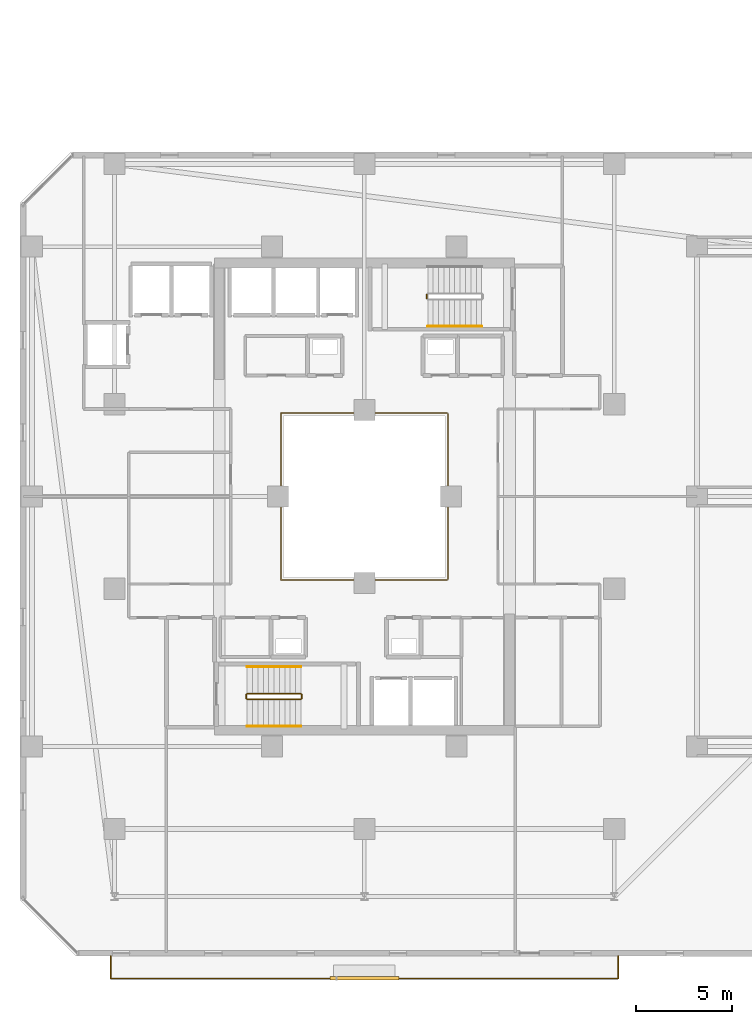
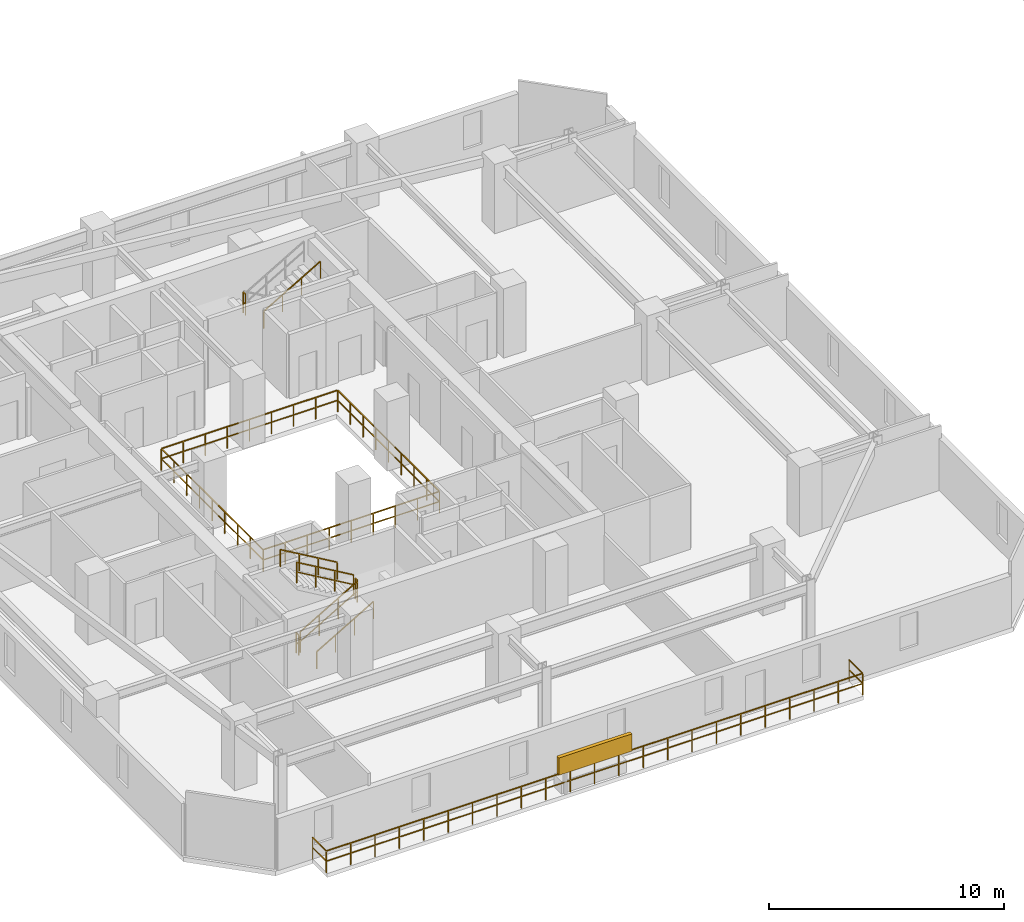
# One storey, part 30 of 33: 10 railings, 1 shading device.
"""IFC4 building model written with IfcOpenShell, lengths in metres."""

import ifcopenshell
import ifcopenshell.guid

model = None  # the IFC model being written
_history = None  # IfcOwnerHistory: only IFC2X3 demands one
_inside = {}  # id of a spatial element -> (the spatial element, [elements in it])
_under = {}  # id of a project, library or spatial element -> (it, [spatial elements below it])
_declared = {}  # id of a project -> (the project, [libraries it declares])
_typed = {}  # id of a type object -> (the type object, [elements of that type])
_made_of = {}  # id of a material, layer set ... -> (it, [elements and type objects made of it])


def new_model(schema):
    """Start an empty IFC model of exactly this schema.

    Asked for "IFC4X3", IfcOpenShell would pick the latest addendum, in which some entities
    have other attributes; the version numbers below select the first issue.
    IFC2X3 requires an IfcOwnerHistory on every rooted entity: one is made here for all.
    """
    global model, _history
    if schema == "IFC4X3":
        model = ifcopenshell.file(schema_version=(4, 3, 0, 0))
    else:
        model = ifcopenshell.file(schema=schema)
    _inside.clear()
    _under.clear()
    _declared.clear()
    _typed.clear()
    _made_of.clear()
    _history = None
    if model.schema == "IFC2X3":
        org = make("IfcOrganization", Name="unknown")
        user = make(
            "IfcPersonAndOrganization",
            ThePerson=make("IfcPerson", FamilyName="unknown"),
            TheOrganization=org,
        )
        app = make(
            "IfcApplication",
            ApplicationDeveloper=org,
            Version="unknown",
            ApplicationFullName="unknown",
            ApplicationIdentifier="unknown",
        )
        _history = make(
            "IfcOwnerHistory",
            OwningUser=user,
            OwningApplication=app,
            ChangeAction="ADDED",
            CreationDate=0,
        )
    return model


def make(cls, **values):
    """One entity of the class cls with the attributes given. An attribute that is None is left unset."""
    return model.create_entity(
        cls, **{name: value for name, value in values.items() if value is not None}
    )


def rooted(cls, **values):
    """An entity with a GlobalId (a new one), such as an element, a storey or a relation."""
    return make(cls, GlobalId=ifcopenshell.guid.new(), OwnerHistory=_history, **values)


def si_unit(unit_type, name, prefix=None):
    """IfcSIUnit, for example si_unit("LENGTHUNIT", "METRE", prefix="MILLI")."""
    return make("IfcSIUnit", UnitType=unit_type, Prefix=prefix, Name=name)


def assignment(units):
    """IfcUnitAssignment: the units of a project."""
    return None if units is None else make("IfcUnitAssignment", Units=units)


def point(xyz):
    """IfcCartesianPoint."""
    return None if xyz is None else make("IfcCartesianPoint", Coordinates=xyz)


def direction(xyz):
    """IfcDirection."""
    return None if xyz is None else make("IfcDirection", DirectionRatios=xyz)


def frame(location, z_axis=None, x_axis=None):
    """IfcAxis2Placement3D, a coordinate frame: its origin and axes. An axis left out is left unset."""
    return make(
        "IfcAxis2Placement3D",
        Location=point(location),
        Axis=direction(z_axis),
        RefDirection=direction(x_axis),
    )


def frame_2d(location, x_axis=None):
    """IfcAxis2Placement2D, a coordinate frame in the plane: its origin and x axis."""
    return make(
        "IfcAxis2Placement2D", Location=point(location), RefDirection=direction(x_axis)
    )


def origin():
    """The frame at (0, 0, 0) with its axes left unset."""
    return frame((0.0, 0.0, 0.0))


def origin_2d():
    """The frame at (0, 0) in the plane with its x axis left unset."""
    return frame_2d((0.0, 0.0))


def place(relative_to, where):
    """IfcLocalPlacement: puts the frame where relative to a parent placement (None: the world)."""
    return make(
        "IfcLocalPlacement", PlacementRelTo=relative_to, RelativePlacement=where
    )


def context(
    kind, dimensions, precision=None, world=None, true_north=None, identifier=None
):
    """IfcGeometricRepresentationContext, for example the 3D "Model" context."""
    return make(
        "IfcGeometricRepresentationContext",
        ContextIdentifier=identifier,
        ContextType=kind,
        CoordinateSpaceDimension=dimensions,
        Precision=precision,
        WorldCoordinateSystem=world,
        TrueNorth=true_north,
    )


def subcontext(parent, identifier, kind, view, scale=None):
    """IfcGeometricRepresentationSubContext, for example "Body" below "Model"."""
    return make(
        "IfcGeometricRepresentationSubContext",
        ContextIdentifier=identifier,
        ContextType=kind,
        ParentContext=parent,
        TargetScale=scale,
        TargetView=view,
    )


def project(units=None, contexts=None):
    """IfcProject with its units and contexts."""
    return rooted(
        "IfcProject",
        Name="project",
        RepresentationContexts=contexts,
        UnitsInContext=assignment(units),
    )


def spatial(cls, under=None, at=None, **own):
    """A site, building, storey or space (cls), placed at a placement, below another one or the project."""
    s = rooted(cls, ObjectPlacement=at, **own)
    if under is not None:
        _under.setdefault(under.id(), (under, []))[1].append(s)
    return s


def profile(cls, at=None, kind="AREA", **sizes):
    """A parametric profile (cls). Its sizes go by their IFC names, for example OverallWidth=200.0."""
    return make(cls, ProfileType=kind, Position=at, **sizes)


def rectangle(**sizes):
    """IfcRectangleProfileDef."""
    return profile("IfcRectangleProfileDef", **sizes)


def extrude(swept, where, along, depth):
    """IfcExtrudedAreaSolid: the profile swept, set in the frame where, extruded along a direction by depth."""
    return make(
        "IfcExtrudedAreaSolid",
        SweptArea=swept,
        Position=where,
        ExtrudedDirection=direction(along),
        Depth=depth,
    )


def shape(context_of_items, identifier, shape_type, items):
    """IfcShapeRepresentation: the items that make up one representation, for example the "Body"."""
    return make(
        "IfcShapeRepresentation",
        ContextOfItems=context_of_items,
        RepresentationIdentifier=identifier,
        RepresentationType=shape_type,
        Items=items,
    )


def material(Name=None, Category=None):
    """IfcMaterial."""
    return make("IfcMaterial", Name=Name, Category=Category)


def made_of(thing, what):
    """Note that an element or type object is made of a material, layer set ...; save() writes the relation."""
    if what is not None:
        _made_of.setdefault(what.id(), (what, []))[1].append(thing)
    return thing


def type_object(cls, material=None, **own):
    """A type object (cls), such as IfcWallType, which elements share."""
    return made_of(rooted(cls, **own), material)


def element(
    cls,
    number,
    at=None,
    inside=None,
    cuts=None,
    type_object=None,
    material=None,
    context=None,
    identifier="Body",
    shape_type=None,
    held_by="IfcProductDefinitionShape",
    body=None,
    shapes=None,
    **own,
):
    """One element of the class cls, such as IfcWall. Its Tag is "e" and its number.

    at: its placement. inside: the storey or other place that contains it. cuts: it is an
    opening in that element (IfcRelVoidsElement). A single representation is given by context,
    identifier, shape_type and body (its items); several are given by shapes. held_by: the class
    of the entity that holds the representations. save() writes the other relations.
    """
    e = rooted(cls, Tag="e%d" % number, ObjectPlacement=at, **own)
    if body is not None:
        shapes = [shape(context, identifier, shape_type, body)]
    if shapes is not None:
        e.Representation = make(held_by, Representations=shapes)
    if inside is not None:
        _inside.setdefault(inside.id(), (inside, []))[1].append(e)
    if cuts is not None:
        rooted(
            "IfcRelVoidsElement", RelatingBuildingElement=cuts, RelatedOpeningElement=e
        )
    if type_object is not None:
        _typed.setdefault(type_object.id(), (type_object, []))[1].append(e)
    return made_of(e, material)


def aggregate(whole, parts):
    """IfcRelAggregates: a whole, such as a stair, and the parts it consists of."""
    return rooted("IfcRelAggregates", RelatingObject=whole, RelatedObjects=parts)


def save(model, path):
    """Write the relations noted so far, then the file.

    IfcRelAggregates (storeys below a building ...), IfcRelContainedInSpatialStructure (elements
    in a storey), IfcRelDefinesByType, IfcRelAssociatesMaterial and IfcRelDeclares: one each for
    every whole, place, type object, material and project.
    """
    for whole, parts in _under.values():
        aggregate(whole, parts)
    for where, things in _inside.values():
        rooted(
            "IfcRelContainedInSpatialStructure",
            RelatedElements=things,
            RelatingStructure=where,
        )
    for kind, things in _typed.values():
        rooted("IfcRelDefinesByType", RelatedObjects=things, RelatingType=kind)
    for what, things in _made_of.values():
        rooted("IfcRelAssociatesMaterial", RelatedObjects=things, RelatingMaterial=what)
    for by, libraries in _declared.values():
        rooted("IfcRelDeclares", RelatingContext=by, RelatedDefinitions=libraries)
    model.write(path)


model = new_model("IFC4")

# Units and contexts
model_context = context("Model", 3, precision=1e-05, world=origin(), true_north=direction((0.0, 1.0)))
body_context = subcontext(model_context, "Body", "Model", "MODEL_VIEW")
ifc_project = project(units=[si_unit("LENGTHUNIT", "METRE"), si_unit("AREAUNIT", "SQUARE_METRE"), si_unit("VOLUMEUNIT", "CUBIC_METRE"), si_unit("PLANEANGLEUNIT", "RADIAN"), si_unit("MASSUNIT", "GRAM", prefix="KILO")], contexts=[model_context])

# Site, building, storey
site_placement = place(None, origin())
site = spatial("IfcSite", under=ifc_project, at=site_placement, CompositionType="ELEMENT")
building_placement = place(site_placement, origin())
building = spatial("IfcBuilding", under=site, at=building_placement, Name="Thornwick Lancets Civic Towers", CompositionType="ELEMENT")
storey_placement = place(building_placement, frame((0.0, 0.0, 167.10009765625)))
storey = spatial("IfcBuildingStorey", under=building, at=storey_placement, Name="L44", CompositionType="ELEMENT", Elevation=167.10009765625)

# Railings
ifc_material_1 = material(Name="Laminated glass and bronze steel S355", Category="steel")
railing_type_1 = type_object("IfcRailingType", Name="RAIL_ATRIUM_GUARD", PredefinedType="BALUSTRADE", material=ifc_material_1)
railing_1_placement = place(storey_placement, frame((21.159912109375, 22.659912109375, 0.0)))
element("IfcRailing", 1, at=railing_1_placement, inside=storey, type_object=railing_type_1, Name="L44 Tower A Central Atrium Guard Balustrade", PredefinedType="BALUSTRADE", context=body_context, shape_type="SweptSolid", body=[
    extrude(rectangle(XDim=0.048095703125, YDim=0.048095703125, at=origin_2d()), frame((0.0, 0.0, 1.1259765625), z_axis=(1.0, 0.0, 0.0), x_axis=(0.0, 1.0, 0.0)), (0.0, 0.0, 1.0), 8.64892578125),
    extrude(rectangle(XDim=0.0419921875, YDim=0.0419921875, at=origin_2d()), frame((0.03759765625, 0.0, 0.597900390625), z_axis=(1.0, 0.0, 0.0), x_axis=(0.0, 1.0, 0.0)), (0.0, 0.0, 1.0), 1.010009765625),
    extrude(rectangle(XDim=0.0419921875, YDim=0.0419921875, at=origin_2d()), frame((1.12255859375, 0.0, 0.597900390625), z_axis=(1.0, 0.0, 0.0), x_axis=(0.0, 1.0, 0.0)), (0.0, 0.0, 1.0), 1.010009765625),
    extrude(rectangle(XDim=0.0419921875, YDim=0.0419921875, at=origin_2d()), frame((2.20751953125, 0.0, 0.597900390625), z_axis=(1.0, 0.0, 0.0), x_axis=(0.0, 1.0, 0.0)), (0.0, 0.0, 1.0), 1.010009765625),
    extrude(rectangle(XDim=0.0419921875, YDim=0.0419921875, at=origin_2d()), frame((3.29248046875, 0.0, 0.597900390625), z_axis=(1.0, 0.0, 0.0), x_axis=(0.0, 1.0, 0.0)), (0.0, 0.0, 1.0), 1.010009765625),
    extrude(rectangle(XDim=0.0419921875, YDim=0.0419921875, at=origin_2d()), frame((4.377685546875, 0.0, 0.597900390625), z_axis=(1.0, 0.0, 0.0), x_axis=(0.0, 1.0, 0.0)), (0.0, 0.0, 1.0), 1.010009765625),
    extrude(rectangle(XDim=0.0419921875, YDim=0.0419921875, at=origin_2d()), frame((5.462646484375, 0.0, 0.597900390625), z_axis=(1.0, 0.0, 0.0), x_axis=(0.0, 1.0, 0.0)), (0.0, 0.0, 1.0), 1.010009765625),
    extrude(rectangle(XDim=0.0419921875, YDim=0.0419921875, at=origin_2d()), frame((6.547607421875, 0.0, 0.597900390625), z_axis=(1.0, 0.0, 0.0), x_axis=(0.0, 1.0, 0.0)), (0.0, 0.0, 1.0), 1.010009765625),
    extrude(rectangle(XDim=0.0419921875, YDim=0.0419921875, at=origin_2d()), frame((7.632568359375, 0.0, 0.597900390625), z_axis=(1.0, 0.0, 0.0), x_axis=(0.0, 1.0, 0.0)), (0.0, 0.0, 1.0), 1.010009765625),
    extrude(rectangle(XDim=0.048095703125, YDim=0.048095703125, at=origin_2d()), frame((8.68017578125, 0.03125, 1.1259765625), z_axis=(0.0, 1.0, 0.0), x_axis=(-1.0, 0.0, 0.0)), (0.0, 0.0, 1.0), 8.61767578125),
    extrude(rectangle(XDim=0.0419921875, YDim=0.0419921875, at=origin_2d()), frame((8.68017578125, 0.03759765625, 0.597900390625), z_axis=(0.0, 1.0, 0.0), x_axis=(-1.0, 0.0, 0.0)), (0.0, 0.0, 1.0), 1.010009765625),
    extrude(rectangle(XDim=0.0419921875, YDim=0.0419921875, at=origin_2d()), frame((8.68017578125, 1.12255859375, 0.597900390625), z_axis=(0.0, 1.0, 0.0), x_axis=(-1.0, 0.0, 0.0)), (0.0, 0.0, 1.0), 1.010009765625),
    extrude(rectangle(XDim=0.0419921875, YDim=0.0419921875, at=origin_2d()), frame((8.68017578125, 2.20751953125, 0.597900390625), z_axis=(0.0, 1.0, 0.0), x_axis=(-1.0, 0.0, 0.0)), (0.0, 0.0, 1.0), 1.010009765625),
    extrude(rectangle(XDim=0.0419921875, YDim=0.0419921875, at=origin_2d()), frame((8.68017578125, 3.29248046875, 0.597900390625), z_axis=(0.0, 1.0, 0.0), x_axis=(-1.0, 0.0, 0.0)), (0.0, 0.0, 1.0), 1.010009765625),
    extrude(rectangle(XDim=0.0419921875, YDim=0.0419921875, at=origin_2d()), frame((8.68017578125, 4.377685546875, 0.597900390625), z_axis=(0.0, 1.0, 0.0), x_axis=(-1.0, 0.0, 0.0)), (0.0, 0.0, 1.0), 1.010009765625),
    extrude(rectangle(XDim=0.0419921875, YDim=0.0419921875, at=origin_2d()), frame((8.68017578125, 5.462646484375, 0.597900390625), z_axis=(0.0, 1.0, 0.0), x_axis=(-1.0, 0.0, 0.0)), (0.0, 0.0, 1.0), 1.010009765625),
    extrude(rectangle(XDim=0.0419921875, YDim=0.0419921875, at=origin_2d()), frame((8.68017578125, 6.547607421875, 0.597900390625), z_axis=(0.0, 1.0, 0.0), x_axis=(-1.0, 0.0, 0.0)), (0.0, 0.0, 1.0), 1.010009765625),
    extrude(rectangle(XDim=0.0419921875, YDim=0.0419921875, at=origin_2d()), frame((8.68017578125, 7.632568359375, 0.597900390625), z_axis=(0.0, 1.0, 0.0), x_axis=(-1.0, 0.0, 0.0)), (0.0, 0.0, 1.0), 1.010009765625),
    extrude(rectangle(XDim=0.048095703125, YDim=0.048095703125, at=origin_2d()), frame((8.64892578125, 8.68017578125, 1.1259765625), z_axis=(-1.0, 0.0, 0.0), x_axis=(0.0, -1.0, 0.0)), (0.0, 0.0, 1.0), 8.61767578125),
    extrude(rectangle(XDim=0.0419921875, YDim=0.0419921875, at=origin_2d()), frame((8.642578125, 8.68017578125, 0.597900390625), z_axis=(-1.0, 0.0, 0.0), x_axis=(0.0, -1.0, 0.0)), (0.0, 0.0, 1.0), 1.010009765625),
    extrude(rectangle(XDim=0.0419921875, YDim=0.0419921875, at=origin_2d()), frame((7.5576171875, 8.68017578125, 0.597900390625), z_axis=(-1.0, 0.0, 0.0), x_axis=(0.0, -1.0, 0.0)), (0.0, 0.0, 1.0), 1.010009765625),
    extrude(rectangle(XDim=0.0419921875, YDim=0.0419921875, at=origin_2d()), frame((6.47265625, 8.68017578125, 0.597900390625), z_axis=(-1.0, 0.0, 0.0), x_axis=(0.0, -1.0, 0.0)), (0.0, 0.0, 1.0), 1.010009765625),
    extrude(rectangle(XDim=0.0419921875, YDim=0.0419921875, at=origin_2d()), frame((5.3876953125, 8.68017578125, 0.597900390625), z_axis=(-1.0, 0.0, 0.0), x_axis=(0.0, -1.0, 0.0)), (0.0, 0.0, 1.0), 1.010009765625),
    extrude(rectangle(XDim=0.0419921875, YDim=0.0419921875, at=origin_2d()), frame((4.302490234375, 8.68017578125, 0.597900390625), z_axis=(-1.0, 0.0, 0.0), x_axis=(0.0, -1.0, 0.0)), (0.0, 0.0, 1.0), 1.010009765625),
    extrude(rectangle(XDim=0.0419921875, YDim=0.0419921875, at=origin_2d()), frame((3.217529296875, 8.68017578125, 0.597900390625), z_axis=(-1.0, 0.0, 0.0), x_axis=(0.0, -1.0, 0.0)), (0.0, 0.0, 1.0), 1.010009765625),
    extrude(rectangle(XDim=0.0419921875, YDim=0.0419921875, at=origin_2d()), frame((2.132568359375, 8.68017578125, 0.597900390625), z_axis=(-1.0, 0.0, 0.0), x_axis=(0.0, -1.0, 0.0)), (0.0, 0.0, 1.0), 1.010009765625),
    extrude(rectangle(XDim=0.0419921875, YDim=0.0419921875, at=origin_2d()), frame((1.047607421875, 8.68017578125, 0.597900390625), z_axis=(-1.0, 0.0, 0.0), x_axis=(0.0, -1.0, 0.0)), (0.0, 0.0, 1.0), 1.010009765625),
    extrude(rectangle(XDim=0.048095703125, YDim=0.048095703125, at=origin_2d()), frame((0.0, 8.64892578125, 1.1259765625), z_axis=(0.0, -1.0, 0.0), x_axis=(1.0, 0.0, 0.0)), (0.0, 0.0, 1.0), 8.64892578125),
    extrude(rectangle(XDim=0.0419921875, YDim=0.0419921875, at=origin_2d()), frame((0.0, 8.642578125, 0.597900390625), z_axis=(0.0, -1.0, 0.0), x_axis=(1.0, 0.0, 0.0)), (0.0, 0.0, 1.0), 1.010009765625),
    extrude(rectangle(XDim=0.0419921875, YDim=0.0419921875, at=origin_2d()), frame((0.0, 7.5576171875, 0.597900390625), z_axis=(0.0, -1.0, 0.0), x_axis=(1.0, 0.0, 0.0)), (0.0, 0.0, 1.0), 1.010009765625),
    extrude(rectangle(XDim=0.0419921875, YDim=0.0419921875, at=origin_2d()), frame((0.0, 6.47265625, 0.597900390625), z_axis=(0.0, -1.0, 0.0), x_axis=(1.0, 0.0, 0.0)), (0.0, 0.0, 1.0), 1.010009765625),
    extrude(rectangle(XDim=0.0419921875, YDim=0.0419921875, at=origin_2d()), frame((0.0, 5.3876953125, 0.597900390625), z_axis=(0.0, -1.0, 0.0), x_axis=(1.0, 0.0, 0.0)), (0.0, 0.0, 1.0), 1.010009765625),
    extrude(rectangle(XDim=0.0419921875, YDim=0.0419921875, at=origin_2d()), frame((0.0, 4.302490234375, 0.597900390625), z_axis=(0.0, -1.0, 0.0), x_axis=(1.0, 0.0, 0.0)), (0.0, 0.0, 1.0), 1.010009765625),
    extrude(rectangle(XDim=0.0419921875, YDim=0.0419921875, at=origin_2d()), frame((0.0, 3.217529296875, 0.597900390625), z_axis=(0.0, -1.0, 0.0), x_axis=(1.0, 0.0, 0.0)), (0.0, 0.0, 1.0), 1.010009765625),
    extrude(rectangle(XDim=0.0419921875, YDim=0.0419921875, at=origin_2d()), frame((0.0, 2.132568359375, 0.597900390625), z_axis=(0.0, -1.0, 0.0), x_axis=(1.0, 0.0, 0.0)), (0.0, 0.0, 1.0), 1.010009765625),
    extrude(rectangle(XDim=0.0419921875, YDim=0.0419921875, at=origin_2d()), frame((0.0, 1.047607421875, 0.597900390625), z_axis=(0.0, -1.0, 0.0), x_axis=(1.0, 0.0, 0.0)), (0.0, 0.0, 1.0), 1.010009765625),
    extrude(rectangle(XDim=0.0419921875, YDim=0.0419921875, at=origin_2d()), origin(), (0.0, 0.0, 1.0), 1.095703125),
    extrude(rectangle(XDim=0.0419921875, YDim=0.0419921875, at=origin_2d()), frame((1.0849609375, 0.0, 0.0)), (0.0, 0.0, 1.0), 1.095703125),
    extrude(rectangle(XDim=0.0419921875, YDim=0.0419921875, at=origin_2d()), frame((2.169921875, 0.0, 0.0)), (0.0, 0.0, 1.0), 1.095703125),
    extrude(rectangle(XDim=0.0419921875, YDim=0.0419921875, at=origin_2d()), frame((3.255126953125, 0.0, 0.0)), (0.0, 0.0, 1.0), 1.095703125),
    extrude(rectangle(XDim=0.0419921875, YDim=0.0419921875, at=origin_2d()), frame((4.340087890625, 0.0, 0.0)), (0.0, 0.0, 1.0), 1.095703125),
    extrude(rectangle(XDim=0.0419921875, YDim=0.0419921875, at=origin_2d()), frame((5.425048828125, 0.0, 0.0)), (0.0, 0.0, 1.0), 1.095703125),
    extrude(rectangle(XDim=0.0419921875, YDim=0.0419921875, at=origin_2d()), frame((6.51025390625, 0.0, 0.0)), (0.0, 0.0, 1.0), 1.095703125),
    extrude(rectangle(XDim=0.0419921875, YDim=0.0419921875, at=origin_2d()), frame((7.59521484375, 0.0, 0.0)), (0.0, 0.0, 1.0), 1.095703125),
    extrude(rectangle(XDim=0.0419921875, YDim=0.0419921875, at=origin_2d()), frame((8.68017578125, 0.0, 0.0)), (0.0, 0.0, 1.0), 1.095703125),
    extrude(rectangle(XDim=0.0419921875, YDim=0.0419921875, at=origin_2d()), frame((8.68017578125, 1.0849609375, 0.0)), (0.0, 0.0, 1.0), 1.095703125),
    extrude(rectangle(XDim=0.0419921875, YDim=0.0419921875, at=origin_2d()), frame((8.68017578125, 2.169921875, 0.0)), (0.0, 0.0, 1.0), 1.095703125),
    extrude(rectangle(XDim=0.0419921875, YDim=0.0419921875, at=origin_2d()), frame((8.68017578125, 3.255126953125, 0.0)), (0.0, 0.0, 1.0), 1.095703125),
    extrude(rectangle(XDim=0.0419921875, YDim=0.0419921875, at=origin_2d()), frame((8.68017578125, 4.340087890625, 0.0)), (0.0, 0.0, 1.0), 1.095703125),
    extrude(rectangle(XDim=0.0419921875, YDim=0.0419921875, at=origin_2d()), frame((8.68017578125, 5.425048828125, 0.0)), (0.0, 0.0, 1.0), 1.095703125),
    extrude(rectangle(XDim=0.0419921875, YDim=0.0419921875, at=origin_2d()), frame((8.68017578125, 6.51025390625, 0.0)), (0.0, 0.0, 1.0), 1.095703125),
    extrude(rectangle(XDim=0.0419921875, YDim=0.0419921875, at=origin_2d()), frame((8.68017578125, 7.59521484375, 0.0)), (0.0, 0.0, 1.0), 1.095703125),
    extrude(rectangle(XDim=0.0419921875, YDim=0.0419921875, at=origin_2d()), frame((8.68017578125, 8.68017578125, 0.0)), (0.0, 0.0, 1.0), 1.095703125),
    extrude(rectangle(XDim=0.0419921875, YDim=0.0419921875, at=origin_2d()), frame((7.59521484375, 8.68017578125, 0.0)), (0.0, 0.0, 1.0), 1.095703125),
    extrude(rectangle(XDim=0.0419921875, YDim=0.0419921875, at=origin_2d()), frame((6.51025390625, 8.68017578125, 0.0)), (0.0, 0.0, 1.0), 1.095703125),
    extrude(rectangle(XDim=0.0419921875, YDim=0.0419921875, at=origin_2d()), frame((5.425048828125, 8.68017578125, 0.0)), (0.0, 0.0, 1.0), 1.095703125),
    extrude(rectangle(XDim=0.0419921875, YDim=0.0419921875, at=origin_2d()), frame((4.340087890625, 8.68017578125, 0.0)), (0.0, 0.0, 1.0), 1.095703125),
    extrude(rectangle(XDim=0.0419921875, YDim=0.0419921875, at=origin_2d()), frame((3.255126953125, 8.68017578125, 0.0)), (0.0, 0.0, 1.0), 1.095703125),
    extrude(rectangle(XDim=0.0419921875, YDim=0.0419921875, at=origin_2d()), frame((2.169921875, 8.68017578125, 0.0)), (0.0, 0.0, 1.0), 1.095703125),
    extrude(rectangle(XDim=0.0419921875, YDim=0.0419921875, at=origin_2d()), frame((1.0849609375, 8.68017578125, 0.0)), (0.0, 0.0, 1.0), 1.095703125),
    extrude(rectangle(XDim=0.0419921875, YDim=0.0419921875, at=origin_2d()), frame((0.0, 8.68017578125, 0.0)), (0.0, 0.0, 1.0), 1.095703125),
    extrude(rectangle(XDim=0.0419921875, YDim=0.0419921875, at=origin_2d()), frame((0.0, 7.59521484375, 0.0)), (0.0, 0.0, 1.0), 1.095703125),
    extrude(rectangle(XDim=0.0419921875, YDim=0.0419921875, at=origin_2d()), frame((0.0, 6.51025390625, 0.0)), (0.0, 0.0, 1.0), 1.095703125),
    extrude(rectangle(XDim=0.0419921875, YDim=0.0419921875, at=origin_2d()), frame((0.0, 5.425048828125, 0.0)), (0.0, 0.0, 1.0), 1.095703125),
    extrude(rectangle(XDim=0.0419921875, YDim=0.0419921875, at=origin_2d()), frame((0.0, 4.340087890625, 0.0)), (0.0, 0.0, 1.0), 1.095703125),
    extrude(rectangle(XDim=0.0419921875, YDim=0.0419921875, at=origin_2d()), frame((0.0, 3.255126953125, 0.0)), (0.0, 0.0, 1.0), 1.095703125),
    extrude(rectangle(XDim=0.0419921875, YDim=0.0419921875, at=origin_2d()), frame((0.0, 2.169921875, 0.0)), (0.0, 0.0, 1.0), 1.095703125),
    extrude(rectangle(XDim=0.0419921875, YDim=0.0419921875, at=origin_2d()), frame((0.0, 1.0849609375, 0.0)), (0.0, 0.0, 1.0), 1.095703125),
])
ifc_material_2 = material(Name="Brushed stainless steel S355", Category="steel")
railing_type_2 = type_object("IfcRailingType", Name="RAIL_HANDRAIL", PredefinedType="HANDRAIL", material=ifc_material_2)
railing_2_placement = place(storey_placement, frame((19.39990234375, 15.050048828125, 0.16357421875)))
element("IfcRailing", 2, at=railing_2_placement, inside=storey, type_object=railing_type_2, Name="L44 ST-A1 stair handrail 1", PredefinedType="HANDRAIL", context=body_context, shape_type="SweptSolid", body=[
    extrude(rectangle(XDim=0.048095703125, YDim=0.048095703125, at=origin_2d()), frame((0.0, 0.0, 0.8857421875), z_axis=(0.863393664356, 0.0, 0.504530851732), x_axis=(0.0, 1.0, 0.0)), (0.0, 0.0, 1.0), 3.2431640625),
    extrude(rectangle(XDim=0.0419921875, YDim=0.0419921875, at=origin_2d()), origin(), (0.0, 0.0, 1.0), 0.855712890625),
    extrude(rectangle(XDim=0.0419921875, YDim=0.0419921875, at=origin_2d()), frame((0.933349609375, 0.0, 0.54541015625)), (0.0, 0.0, 1.0), 0.855712890625),
    extrude(rectangle(XDim=0.0419921875, YDim=0.0419921875, at=origin_2d()), frame((1.86669921875, 0.0, 1.0908203125)), (0.0, 0.0, 1.0), 0.855712890625),
    extrude(rectangle(XDim=0.0419921875, YDim=0.0419921875, at=origin_2d()), frame((2.800048828125, 0.0, 1.63623046875)), (0.0, 0.0, 1.0), 0.855712890625),
])
railing_3_placement = place(storey_placement, frame((22.199951171875, 18.14990234375, 1.963623046875)))
element("IfcRailing", 3, at=railing_3_placement, inside=storey, type_object=railing_type_2, Name="L44 ST-A1 stair handrail 2", PredefinedType="HANDRAIL", context=body_context, shape_type="SweptSolid", body=[
    extrude(rectangle(XDim=0.048095703125, YDim=0.048095703125, at=origin_2d()), frame((0.0, 0.0, 0.8857421875), z_axis=(-0.863393664356, 0.0, 0.504530851732), x_axis=(0.0, -1.0, 0.0)), (0.0, 0.0, 1.0), 3.2431640625),
    extrude(rectangle(XDim=0.0419921875, YDim=0.0419921875, at=origin_2d()), origin(), (0.0, 0.0, 1.0), 0.855712890625),
    extrude(rectangle(XDim=0.0419921875, YDim=0.0419921875, at=origin_2d()), frame((-0.933349609375, 0.0, 0.54541015625)), (0.0, 0.0, 1.0), 0.855712890625),
    extrude(rectangle(XDim=0.0419921875, YDim=0.0419921875, at=origin_2d()), frame((-1.86669921875, 0.0, 1.0908203125)), (0.0, 0.0, 1.0), 0.855712890625),
    extrude(rectangle(XDim=0.0419921875, YDim=0.0419921875, at=origin_2d()), frame((-2.800048828125, 0.0, 1.63623046875)), (0.0, 0.0, 1.0), 0.855712890625),
])
railing_4_placement = place(storey_placement, frame((28.800048828125, 35.85009765625, 1.963623046875)))
element("IfcRailing", 4, at=railing_4_placement, inside=storey, type_object=railing_type_2, Name="L44 ST-A2 stair handrail 2", PredefinedType="HANDRAIL", context=body_context, shape_type="SweptSolid", body=[
    extrude(rectangle(XDim=0.048095703125, YDim=0.048095703125, at=origin_2d()), frame((0.0, 0.0, 0.8857421875), z_axis=(0.863393664356, 0.0, 0.504530851732), x_axis=(0.0, 1.0, 0.0)), (0.0, 0.0, 1.0), 3.2431640625),
    extrude(rectangle(XDim=0.0419921875, YDim=0.0419921875, at=origin_2d()), origin(), (0.0, 0.0, 1.0), 0.855712890625),
    extrude(rectangle(XDim=0.0419921875, YDim=0.0419921875, at=origin_2d()), frame((0.933349609375, 0.0, 0.54541015625)), (0.0, 0.0, 1.0), 0.855712890625),
    extrude(rectangle(XDim=0.0419921875, YDim=0.0419921875, at=origin_2d()), frame((1.86669921875, 0.0, 1.0908203125)), (0.0, 0.0, 1.0), 0.855712890625),
    extrude(rectangle(XDim=0.0419921875, YDim=0.0419921875, at=origin_2d()), frame((2.800048828125, 0.0, 1.63623046875)), (0.0, 0.0, 1.0), 0.855712890625),
])
ifc_material_3 = material(Name="Steel S355JR", Category="steel")
railing_type_3 = type_object("IfcRailingType", Name="RAIL_STAIR_GUARD", PredefinedType="GUARDRAIL", material=ifc_material_3)
railing_5_placement = place(storey_placement, frame((19.39990234375, 16.449951171875, 0.16357421875)))
element("IfcRailing", 5, at=railing_5_placement, inside=storey, type_object=railing_type_3, Name="L44 ST-A1 stair guard 1", PredefinedType="GUARDRAIL", context=body_context, shape_type="SweptSolid", body=[
    extrude(rectangle(XDim=0.048095703125, YDim=0.048095703125, at=origin_2d()), frame((0.0, 0.0, 1.076171875), z_axis=(0.863393664356, 0.0, 0.504530851732), x_axis=(0.0, 1.0, 0.0)), (0.0, 0.0, 1.0), 3.2431640625),
    extrude(rectangle(XDim=0.0419921875, YDim=0.0419921875, at=origin_2d()), frame((0.032470703125, 0.0, 0.591064453125), z_axis=(0.863393664356, 0.0, 0.504530851732), x_axis=(0.0, 1.0, 0.0)), (0.0, 0.0, 1.0), 1.006103515625),
    extrude(rectangle(XDim=0.0419921875, YDim=0.0419921875, at=origin_2d()), frame((0.9658203125, 0.0, 1.136474609375), z_axis=(0.863393664356, 0.0, 0.504530851732), x_axis=(0.0, 1.0, 0.0)), (0.0, 0.0, 1.0), 1.006103515625),
    extrude(rectangle(XDim=0.0419921875, YDim=0.0419921875, at=origin_2d()), frame((1.899169921875, 0.0, 1.681884765625), z_axis=(0.863393664356, 0.0, 0.504530851732), x_axis=(0.0, 1.0, 0.0)), (0.0, 0.0, 1.0), 1.006103515625),
    extrude(rectangle(XDim=0.0419921875, YDim=0.0419921875, at=origin_2d()), origin(), (0.0, 0.0, 1.0), 1.0458984375),
    extrude(rectangle(XDim=0.0419921875, YDim=0.0419921875, at=origin_2d()), frame((0.933349609375, 0.0, 0.54541015625)), (0.0, 0.0, 1.0), 1.0458984375),
    extrude(rectangle(XDim=0.0419921875, YDim=0.0419921875, at=origin_2d()), frame((1.86669921875, 0.0, 1.0908203125)), (0.0, 0.0, 1.0), 1.0458984375),
    extrude(rectangle(XDim=0.0419921875, YDim=0.0419921875, at=origin_2d()), frame((2.800048828125, 0.0, 1.63623046875)), (0.0, 0.0, 1.0), 1.0458984375),
])
railing_6_placement = place(storey_placement, frame((22.25, 16.5, 1.7998046875)))
element("IfcRailing", 6, at=railing_6_placement, inside=storey, type_object=railing_type_3, Name="L44 ST-A1 stair guard 2", PredefinedType="GUARDRAIL", context=body_context, shape_type="SweptSolid", body=[
    extrude(rectangle(XDim=0.048095703125, YDim=0.048095703125, at=origin_2d()), frame((0.0, 0.0, 1.076171875), z_axis=(0.0, 1.0, 0.0), x_axis=(-1.0, 0.0, 0.0)), (0.0, 0.0, 1.0), 0.199951171875),
    extrude(rectangle(XDim=0.0419921875, YDim=0.0419921875, at=origin_2d()), frame((0.0, 0.03759765625, 0.572021484375), z_axis=(0.0, 1.0, 0.0), x_axis=(-1.0, 0.0, 0.0)), (0.0, 0.0, 1.0), 0.125),
    extrude(rectangle(XDim=0.0419921875, YDim=0.0419921875, at=origin_2d()), origin(), (0.0, 0.0, 1.0), 1.0458984375),
    extrude(rectangle(XDim=0.0419921875, YDim=0.0419921875, at=origin_2d()), frame((0.0, 0.199951171875, 0.0)), (0.0, 0.0, 1.0), 1.0458984375),
])
railing_7_placement = place(storey_placement, frame((22.199951171875, 16.75, 1.963623046875)))
element("IfcRailing", 7, at=railing_7_placement, inside=storey, type_object=railing_type_3, Name="L44 ST-A1 stair guard 3", PredefinedType="GUARDRAIL", context=body_context, shape_type="SweptSolid", body=[
    extrude(rectangle(XDim=0.048095703125, YDim=0.048095703125, at=origin_2d()), frame((0.0, 0.0, 1.076171875), z_axis=(-0.863393664356, 0.0, 0.504530851732), x_axis=(0.0, -1.0, 0.0)), (0.0, 0.0, 1.0), 3.2431640625),
    extrude(rectangle(XDim=0.0419921875, YDim=0.0419921875, at=origin_2d()), frame((-0.032470703125, 0.0, 0.591064453125), z_axis=(-0.863393664356, 0.0, 0.504530851732), x_axis=(0.0, -1.0, 0.0)), (0.0, 0.0, 1.0), 1.006103515625),
    extrude(rectangle(XDim=0.0419921875, YDim=0.0419921875, at=origin_2d()), frame((-0.9658203125, 0.0, 1.136474609375), z_axis=(-0.863393664356, 0.0, 0.504530851732), x_axis=(0.0, -1.0, 0.0)), (0.0, 0.0, 1.0), 1.006103515625),
    extrude(rectangle(XDim=0.0419921875, YDim=0.0419921875, at=origin_2d()), frame((-1.899169921875, 0.0, 1.681884765625), z_axis=(-0.863393664356, 0.0, 0.504530851732), x_axis=(0.0, -1.0, 0.0)), (0.0, 0.0, 1.0), 1.006103515625),
    extrude(rectangle(XDim=0.0419921875, YDim=0.0419921875, at=origin_2d()), origin(), (0.0, 0.0, 1.0), 1.0458984375),
    extrude(rectangle(XDim=0.0419921875, YDim=0.0419921875, at=origin_2d()), frame((-0.933349609375, 0.0, 0.54541015625)), (0.0, 0.0, 1.0), 1.0458984375),
    extrude(rectangle(XDim=0.0419921875, YDim=0.0419921875, at=origin_2d()), frame((-1.86669921875, 0.0, 1.0908203125)), (0.0, 0.0, 1.0), 1.0458984375),
    extrude(rectangle(XDim=0.0419921875, YDim=0.0419921875, at=origin_2d()), frame((-2.800048828125, 0.0, 1.63623046875)), (0.0, 0.0, 1.0), 1.0458984375),
])
railing_8_placement = place(storey_placement, frame((19.35009765625, 16.5, 0.0)))
element("IfcRailing", 8, at=railing_8_placement, inside=storey, type_object=railing_type_3, Name="L44 ST-A1 stair guard 4", PredefinedType="GUARDRAIL", context=body_context, shape_type="SweptSolid", body=[
    extrude(rectangle(XDim=0.048095703125, YDim=0.048095703125, at=origin_2d()), frame((0.0, 0.0, 1.076171875), z_axis=(0.0, 1.0, 0.0), x_axis=(-1.0, 0.0, 0.0)), (0.0, 0.0, 1.0), 0.199951171875),
    extrude(rectangle(XDim=0.0419921875, YDim=0.0419921875, at=origin_2d()), frame((0.0, 0.03759765625, 0.572021484375), z_axis=(0.0, 1.0, 0.0), x_axis=(-1.0, 0.0, 0.0)), (0.0, 0.0, 1.0), 0.125),
    extrude(rectangle(XDim=0.0419921875, YDim=0.0419921875, at=origin_2d()), origin(), (0.0, 0.0, 1.0), 1.0458984375),
    extrude(rectangle(XDim=0.0419921875, YDim=0.0419921875, at=origin_2d()), frame((0.0, 0.199951171875, 0.0)), (0.0, 0.0, 1.0), 1.0458984375),
])
railing_9_placement = place(storey_placement, frame((28.75, 37.5, 1.7998046875)))
element("IfcRailing", 9, at=railing_9_placement, inside=storey, type_object=railing_type_3, Name="L44 ST-A2 stair guard 2", PredefinedType="GUARDRAIL", context=body_context, shape_type="SweptSolid", body=[
    extrude(rectangle(XDim=0.048095703125, YDim=0.048095703125, at=origin_2d()), frame((0.0, 0.0, 1.076171875), z_axis=(0.0, -1.0, 0.0), x_axis=(1.0, 0.0, 0.0)), (0.0, 0.0, 1.0), 0.199951171875),
    extrude(rectangle(XDim=0.0419921875, YDim=0.0419921875, at=origin_2d()), frame((0.0, -0.03759765625, 0.572021484375), z_axis=(0.0, -1.0, 0.0), x_axis=(1.0, 0.0, 0.0)), (0.0, 0.0, 1.0), 0.125),
    extrude(rectangle(XDim=0.0419921875, YDim=0.0419921875, at=origin_2d()), origin(), (0.0, 0.0, 1.0), 1.0458984375),
    extrude(rectangle(XDim=0.0419921875, YDim=0.0419921875, at=origin_2d()), frame((0.0, -0.199951171875, 0.0)), (0.0, 0.0, 1.0), 1.0458984375),
])
ifc_material_4 = material(Name="Terracotta-capped laminated glass balustrade S355", Category="masonry")
railing_type_4 = type_object("IfcRailingType", Name="RAIL_TERR_GUARD", PredefinedType="GUARDRAIL", material=ifc_material_4)
railing_10_placement = place(storey_placement, frame((12.300048828125, 3.10009765625, 0.0)))
element("IfcRailing", 10, at=railing_10_placement, inside=storey, type_object=railing_type_4, Name="L44 Tower A Balcony Guard S", PredefinedType="GUARDRAIL", context=body_context, shape_type="SweptSolid", body=[
    extrude(rectangle(XDim=0.048095703125, YDim=0.048095703125, at=origin_2d()), frame((0.0, 0.0, 1.1259765625), z_axis=(0.0, -1.0, 0.0), x_axis=(1.0, 0.0, 0.0)), (0.0, 0.0, 1.0), 1.138916015625),
    extrude(rectangle(XDim=0.0419921875, YDim=0.0419921875, at=origin_2d()), frame((0.0, -0.03759765625, 0.597900390625), z_axis=(0.0, -1.0, 0.0), x_axis=(1.0, 0.0, 0.0)), (0.0, 0.0, 1.0), 1.09521484375),
    extrude(rectangle(XDim=0.048095703125, YDim=0.048095703125, at=origin_2d()), frame((0.03125, -1.170166015625, 1.1259765625), z_axis=(1.0, 0.0, 0.0), x_axis=(0.0, 1.0, 0.0)), (0.0, 0.0, 1.0), 26.33740234375),
    extrude(rectangle(XDim=0.0419921875, YDim=0.0419921875, at=origin_2d()), frame((0.03759765625, -1.170166015625, 0.597900390625), z_axis=(1.0, 0.0, 0.0), x_axis=(0.0, 1.0, 0.0)), (0.0, 0.0, 1.0), 1.125),
    extrude(rectangle(XDim=0.0419921875, YDim=0.0419921875, at=origin_2d()), frame((1.237548828125, -1.170166015625, 0.597900390625), z_axis=(1.0, 0.0, 0.0), x_axis=(0.0, 1.0, 0.0)), (0.0, 0.0, 1.0), 1.125),
    extrude(rectangle(XDim=0.0419921875, YDim=0.0419921875, at=origin_2d()), frame((2.4375, -1.170166015625, 0.597900390625), z_axis=(1.0, 0.0, 0.0), x_axis=(0.0, 1.0, 0.0)), (0.0, 0.0, 1.0), 1.125),
    extrude(rectangle(XDim=0.0419921875, YDim=0.0419921875, at=origin_2d()), frame((3.637451171875, -1.170166015625, 0.597900390625), z_axis=(1.0, 0.0, 0.0), x_axis=(0.0, 1.0, 0.0)), (0.0, 0.0, 1.0), 1.125),
    extrude(rectangle(XDim=0.0419921875, YDim=0.0419921875, at=origin_2d()), frame((4.83740234375, -1.170166015625, 0.597900390625), z_axis=(1.0, 0.0, 0.0), x_axis=(0.0, 1.0, 0.0)), (0.0, 0.0, 1.0), 1.125),
    extrude(rectangle(XDim=0.0419921875, YDim=0.0419921875, at=origin_2d()), frame((6.037353515625, -1.170166015625, 0.597900390625), z_axis=(1.0, 0.0, 0.0), x_axis=(0.0, 1.0, 0.0)), (0.0, 0.0, 1.0), 1.125),
    extrude(rectangle(XDim=0.0419921875, YDim=0.0419921875, at=origin_2d()), frame((7.237548828125, -1.170166015625, 0.597900390625), z_axis=(1.0, 0.0, 0.0), x_axis=(0.0, 1.0, 0.0)), (0.0, 0.0, 1.0), 1.125),
    extrude(rectangle(XDim=0.0419921875, YDim=0.0419921875, at=origin_2d()), frame((8.4375, -1.170166015625, 0.597900390625), z_axis=(1.0, 0.0, 0.0), x_axis=(0.0, 1.0, 0.0)), (0.0, 0.0, 1.0), 1.125),
    extrude(rectangle(XDim=0.0419921875, YDim=0.0419921875, at=origin_2d()), frame((9.637451171875, -1.170166015625, 0.597900390625), z_axis=(1.0, 0.0, 0.0), x_axis=(0.0, 1.0, 0.0)), (0.0, 0.0, 1.0), 1.125),
    extrude(rectangle(XDim=0.0419921875, YDim=0.0419921875, at=origin_2d()), frame((10.83740234375, -1.170166015625, 0.597900390625), z_axis=(1.0, 0.0, 0.0), x_axis=(0.0, 1.0, 0.0)), (0.0, 0.0, 1.0), 1.125),
    extrude(rectangle(XDim=0.0419921875, YDim=0.0419921875, at=origin_2d()), frame((12.037353515625, -1.170166015625, 0.597900390625), z_axis=(1.0, 0.0, 0.0), x_axis=(0.0, 1.0, 0.0)), (0.0, 0.0, 1.0), 1.125),
    extrude(rectangle(XDim=0.0419921875, YDim=0.0419921875, at=origin_2d()), frame((13.237548828125, -1.170166015625, 0.597900390625), z_axis=(1.0, 0.0, 0.0), x_axis=(0.0, 1.0, 0.0)), (0.0, 0.0, 1.0), 1.125),
    extrude(rectangle(XDim=0.0419921875, YDim=0.0419921875, at=origin_2d()), frame((14.4375, -1.170166015625, 0.597900390625), z_axis=(1.0, 0.0, 0.0), x_axis=(0.0, 1.0, 0.0)), (0.0, 0.0, 1.0), 1.125),
    extrude(rectangle(XDim=0.0419921875, YDim=0.0419921875, at=origin_2d()), frame((15.637451171875, -1.170166015625, 0.597900390625), z_axis=(1.0, 0.0, 0.0), x_axis=(0.0, 1.0, 0.0)), (0.0, 0.0, 1.0), 1.125),
    extrude(rectangle(XDim=0.0419921875, YDim=0.0419921875, at=origin_2d()), frame((16.83740234375, -1.170166015625, 0.597900390625), z_axis=(1.0, 0.0, 0.0), x_axis=(0.0, 1.0, 0.0)), (0.0, 0.0, 1.0), 1.125),
    extrude(rectangle(XDim=0.0419921875, YDim=0.0419921875, at=origin_2d()), frame((18.037353515625, -1.170166015625, 0.597900390625), z_axis=(1.0, 0.0, 0.0), x_axis=(0.0, 1.0, 0.0)), (0.0, 0.0, 1.0), 1.125),
    extrude(rectangle(XDim=0.0419921875, YDim=0.0419921875, at=origin_2d()), frame((19.2373046875, -1.170166015625, 0.597900390625), z_axis=(1.0, 0.0, 0.0), x_axis=(0.0, 1.0, 0.0)), (0.0, 0.0, 1.0), 1.125),
    extrude(rectangle(XDim=0.0419921875, YDim=0.0419921875, at=origin_2d()), frame((20.4375, -1.170166015625, 0.597900390625), z_axis=(1.0, 0.0, 0.0), x_axis=(0.0, 1.0, 0.0)), (0.0, 0.0, 1.0), 1.125),
    extrude(rectangle(XDim=0.0419921875, YDim=0.0419921875, at=origin_2d()), frame((21.637451171875, -1.170166015625, 0.597900390625), z_axis=(1.0, 0.0, 0.0), x_axis=(0.0, 1.0, 0.0)), (0.0, 0.0, 1.0), 1.125),
    extrude(rectangle(XDim=0.0419921875, YDim=0.0419921875, at=origin_2d()), frame((22.83740234375, -1.170166015625, 0.597900390625), z_axis=(1.0, 0.0, 0.0), x_axis=(0.0, 1.0, 0.0)), (0.0, 0.0, 1.0), 1.125),
    extrude(rectangle(XDim=0.0419921875, YDim=0.0419921875, at=origin_2d()), frame((24.037353515625, -1.170166015625, 0.597900390625), z_axis=(1.0, 0.0, 0.0), x_axis=(0.0, 1.0, 0.0)), (0.0, 0.0, 1.0), 1.125),
    extrude(rectangle(XDim=0.0419921875, YDim=0.0419921875, at=origin_2d()), frame((25.2373046875, -1.170166015625, 0.597900390625), z_axis=(1.0, 0.0, 0.0), x_axis=(0.0, 1.0, 0.0)), (0.0, 0.0, 1.0), 1.125),
    extrude(rectangle(XDim=0.048095703125, YDim=0.048095703125, at=origin_2d()), frame((26.39990234375, -1.138916015625, 1.1259765625), z_axis=(0.0, 1.0, 0.0), x_axis=(-1.0, 0.0, 0.0)), (0.0, 0.0, 1.0), 1.138916015625),
    extrude(rectangle(XDim=0.0419921875, YDim=0.0419921875, at=origin_2d()), frame((26.39990234375, -1.132568359375, 0.597900390625), z_axis=(0.0, 1.0, 0.0), x_axis=(-1.0, 0.0, 0.0)), (0.0, 0.0, 1.0), 1.09521484375),
    extrude(rectangle(XDim=0.0419921875, YDim=0.0419921875, at=origin_2d()), origin(), (0.0, 0.0, 1.0), 1.095703125),
    extrude(rectangle(XDim=0.0419921875, YDim=0.0419921875, at=origin_2d()), frame((0.0, -1.170166015625, 0.0)), (0.0, 0.0, 1.0), 1.095703125),
    extrude(rectangle(XDim=0.0419921875, YDim=0.0419921875, at=origin_2d()), frame((1.199951171875, -1.170166015625, 0.0)), (0.0, 0.0, 1.0), 1.095703125),
    extrude(rectangle(XDim=0.0419921875, YDim=0.0419921875, at=origin_2d()), frame((2.39990234375, -1.170166015625, 0.0)), (0.0, 0.0, 1.0), 1.095703125),
    extrude(rectangle(XDim=0.0419921875, YDim=0.0419921875, at=origin_2d()), frame((3.60009765625, -1.170166015625, 0.0)), (0.0, 0.0, 1.0), 1.095703125),
    extrude(rectangle(XDim=0.0419921875, YDim=0.0419921875, at=origin_2d()), frame((4.800048828125, -1.170166015625, 0.0)), (0.0, 0.0, 1.0), 1.095703125),
    extrude(rectangle(XDim=0.0419921875, YDim=0.0419921875, at=origin_2d()), frame((6.0, -1.170166015625, 0.0)), (0.0, 0.0, 1.0), 1.095703125),
    extrude(rectangle(XDim=0.0419921875, YDim=0.0419921875, at=origin_2d()), frame((7.199951171875, -1.170166015625, 0.0)), (0.0, 0.0, 1.0), 1.095703125),
    extrude(rectangle(XDim=0.0419921875, YDim=0.0419921875, at=origin_2d()), frame((8.39990234375, -1.170166015625, 0.0)), (0.0, 0.0, 1.0), 1.095703125),
    extrude(rectangle(XDim=0.0419921875, YDim=0.0419921875, at=origin_2d()), frame((9.599853515625, -1.170166015625, 0.0)), (0.0, 0.0, 1.0), 1.095703125),
    extrude(rectangle(XDim=0.0419921875, YDim=0.0419921875, at=origin_2d()), frame((10.800048828125, -1.170166015625, 0.0)), (0.0, 0.0, 1.0), 1.095703125),
    extrude(rectangle(XDim=0.0419921875, YDim=0.0419921875, at=origin_2d()), frame((12.0, -1.170166015625, 0.0)), (0.0, 0.0, 1.0), 1.095703125),
    extrude(rectangle(XDim=0.0419921875, YDim=0.0419921875, at=origin_2d()), frame((13.199951171875, -1.170166015625, 0.0)), (0.0, 0.0, 1.0), 1.095703125),
    extrude(rectangle(XDim=0.0419921875, YDim=0.0419921875, at=origin_2d()), frame((14.39990234375, -1.170166015625, 0.0)), (0.0, 0.0, 1.0), 1.095703125),
    extrude(rectangle(XDim=0.0419921875, YDim=0.0419921875, at=origin_2d()), frame((15.599853515625, -1.170166015625, 0.0)), (0.0, 0.0, 1.0), 1.095703125),
    extrude(rectangle(XDim=0.0419921875, YDim=0.0419921875, at=origin_2d()), frame((16.800048828125, -1.170166015625, 0.0)), (0.0, 0.0, 1.0), 1.095703125),
    extrude(rectangle(XDim=0.0419921875, YDim=0.0419921875, at=origin_2d()), frame((18.0, -1.170166015625, 0.0)), (0.0, 0.0, 1.0), 1.095703125),
    extrude(rectangle(XDim=0.0419921875, YDim=0.0419921875, at=origin_2d()), frame((19.199951171875, -1.170166015625, 0.0)), (0.0, 0.0, 1.0), 1.095703125),
    extrude(rectangle(XDim=0.0419921875, YDim=0.0419921875, at=origin_2d()), frame((20.39990234375, -1.170166015625, 0.0)), (0.0, 0.0, 1.0), 1.095703125),
    extrude(rectangle(XDim=0.0419921875, YDim=0.0419921875, at=origin_2d()), frame((21.599853515625, -1.170166015625, 0.0)), (0.0, 0.0, 1.0), 1.095703125),
    extrude(rectangle(XDim=0.0419921875, YDim=0.0419921875, at=origin_2d()), frame((22.7998046875, -1.170166015625, 0.0)), (0.0, 0.0, 1.0), 1.095703125),
    extrude(rectangle(XDim=0.0419921875, YDim=0.0419921875, at=origin_2d()), frame((24.0, -1.170166015625, 0.0)), (0.0, 0.0, 1.0), 1.095703125),
    extrude(rectangle(XDim=0.0419921875, YDim=0.0419921875, at=origin_2d()), frame((25.199951171875, -1.170166015625, 0.0)), (0.0, 0.0, 1.0), 1.095703125),
    extrude(rectangle(XDim=0.0419921875, YDim=0.0419921875, at=origin_2d()), frame((26.39990234375, -1.170166015625, 0.0)), (0.0, 0.0, 1.0), 1.095703125),
    extrude(rectangle(XDim=0.0419921875, YDim=0.0419921875, at=origin_2d()), frame((26.39990234375, 0.0, 0.0)), (0.0, 0.0, 1.0), 1.095703125),
])

# Shading device
ifc_material_5 = material(Name="Extruded terracotta baguette solar screen", Category="masonry")
shading_device_type = type_object("IfcShadingDeviceType", Name="SHADE_BAGUETTE", PredefinedType="JALOUSIE", material=ifc_material_5)
shading_device_placement = place(storey_placement, frame((25.5, 1.93994140625, 1.119873046875), z_axis=(0.0, 0.0, 1.0), x_axis=(1.0, 0.0, 0.0)))
element("IfcShadingDevice", 11, at=shading_device_placement, inside=storey, type_object=shading_device_type, Name="L44 Tower A Terracotta Baguette Screen S", PredefinedType="JALOUSIE", context=body_context, shape_type="SweptSolid", body=[
    extrude(rectangle(XDim=3.60009765625, YDim=0.179931640625, at=origin_2d()), origin(), (0.0, 0.0, 1.0), 0.89990234375),
])

save(model, "model.ifc")
